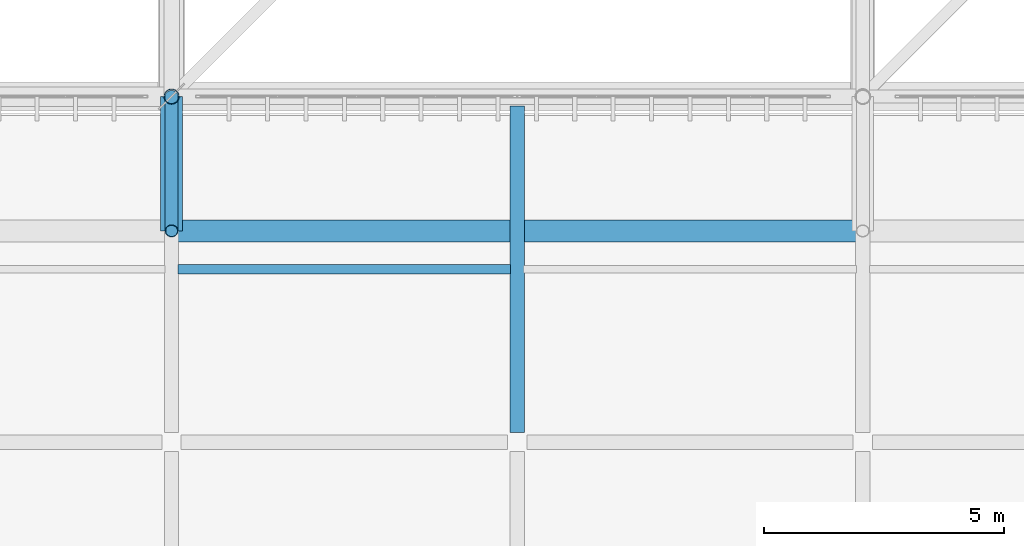
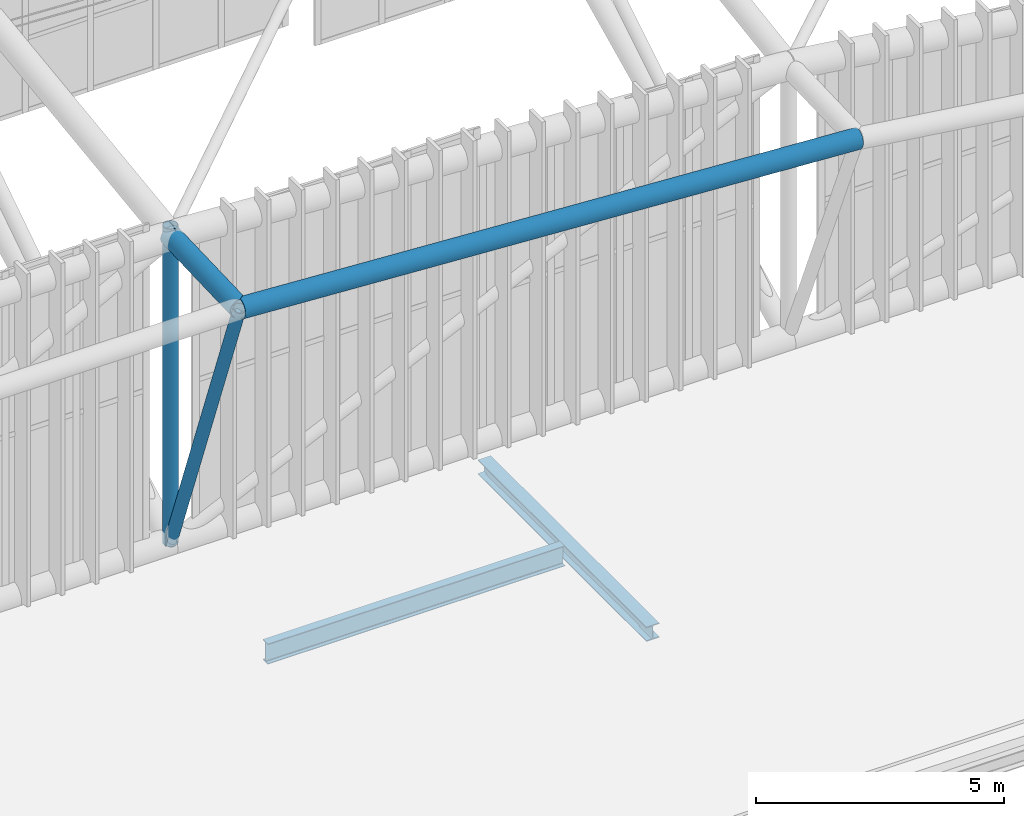
# One storey, part 78 of 397: 4 beams, 2 members.
"""IFC4 building model written with IfcOpenShell, lengths in metres."""

from ifc_helpers import new_model, si_unit, direction, frame, origin, origin_2d, place, context, subcontext, project, spatial, hollow_circle, i_section, extrude, material, material_profile, profile_set, type_object, element, save


model = new_model("IFC4")

# Units and contexts
model_context = context("Model", 3, precision=1e-05, world=origin(), true_north=direction((0.0, 1.0)))
body_context = subcontext(model_context, "Body", "Model", "MODEL_VIEW")
ifc_project = project(units=[si_unit("LENGTHUNIT", "METRE"), si_unit("AREAUNIT", "SQUARE_METRE"), si_unit("VOLUMEUNIT", "CUBIC_METRE"), si_unit("PLANEANGLEUNIT", "RADIAN"), si_unit("MASSUNIT", "GRAM", prefix="KILO")], contexts=[model_context])

# Site, building, storey
site_placement = place(None, origin())
site = spatial("IfcSite", under=ifc_project, at=site_placement, CompositionType="ELEMENT")
building_placement = place(site_placement, origin())
building = spatial("IfcBuilding", under=site, at=building_placement, Name="Qandorah Velis Arena", CompositionType="ELEMENT")
storey_placement = place(building_placement, frame((0.0, 0.0, 27.5)))
storey = spatial("IfcBuildingStorey", under=building, at=storey_placement, Name="RF", CompositionType="ELEMENT", Elevation=27.5)

# Beams
ifc_material = material(Name="Steel S355", Category="steel")
ifc_material_profile_1 = material_profile(ifc_material, i_section(OverallWidth=0.300048828125, OverallDepth=0.360107421875, WebThickness=0.012451171875, FlangeThickness=0.0224609375, FilletRadius=0.027099609375, at=origin_2d()), Name="HEB 360")
ifc_profile_set_1 = profile_set([ifc_material_profile_1], Name="Steel S355")
beam_type_1 = type_object("IfcBeamType", Name="STR-BM-HEB360", PredefinedType="BEAM", material=ifc_profile_set_1)
beam_1_placement = place(storey_placement, frame((79.199951171875, 7.39990234375, -0.39990234375), z_axis=(0.0, 1.0, 0.0), x_axis=(-1.0, 0.0, 0.0)))
element("IfcBeam", 1, at=beam_1_placement, inside=storey, type_object=beam_type_1, Name="Primary floor girder RF Y-116", PredefinedType="BEAM", context=body_context, shape_type="SweptSolid", body=[
    extrude(i_section(OverallWidth=0.300048828125, OverallDepth=0.360107421875, WebThickness=0.012451171875, FlangeThickness=0.0224609375, FilletRadius=0.027099609375, at=origin_2d()), origin(), (0.0, 0.0, 1.0), 6.800048828125),
])
ifc_material_profile_2 = material_profile(ifc_material, i_section(OverallWidth=0.199951171875, OverallDepth=0.5, WebThickness=0.01025390625, FlangeThickness=0.01611328125, FilletRadius=0.02099609375, at=origin_2d()), Name="IPE 500")
ifc_profile_set_2 = profile_set([ifc_material_profile_2], Name="Steel S355")
beam_type_2 = type_object("IfcBeamType", Name="STR-JST-IPE500", PredefinedType="JOIST", material=ifc_profile_set_2)
beam_2_placement = place(storey_placement, frame((72.135009765625, 10.800048828125, -0.469970703125), z_axis=(1.0, 0.0, 0.0), x_axis=(0.0, 1.0, 0.0)))
element("IfcBeam", 2, at=beam_2_placement, inside=storey, type_object=beam_type_2, Name="Secondary floor joist RF-038", PredefinedType="JOIST", context=body_context, shape_type="SweptSolid", body=[
    extrude(i_section(OverallWidth=0.199951171875, OverallDepth=0.5, WebThickness=0.01025390625, FlangeThickness=0.01611328125, FilletRadius=0.02099609375, at=origin_2d()), origin(), (0.0, 0.0, 1.0), 6.929931640625),
])
ifc_material_profile_3 = material_profile(ifc_material, hollow_circle(Radius=0.228515625, WallThickness=0.01611328125, at=origin_2d()), Name="CHS 457x16")
ifc_profile_set_3 = profile_set([ifc_material_profile_3], Name="Steel S355")
beam_type_3 = type_object("IfcBeamType", Name="STR-SFC-CHS457X16", PredefinedType="USERDEFINED", material=ifc_profile_set_3)
beam_3_placement = place(storey_placement, frame((72.0, 14.39990234375, 7.65576171875), z_axis=(0.0, -0.999364629289, -0.035641797469), x_axis=(1.0, 0.0, 0.0)))
element("IfcBeam", 3, at=beam_3_placement, inside=storey, type_object=beam_type_3, Name="Space frame eave outrigger S-4", ObjectType="ROOF TRUSS", PredefinedType="USERDEFINED", context=body_context, shape_type="SweptSolid", body=[
    extrude(hollow_circle(Radius=0.228515625, WallThickness=0.01611328125, at=origin_2d()), origin(), (0.0, 0.0, 1.0), 2.801513671875),
])
beam_4_placement = place(storey_placement, frame((72.0, 11.60009765625, 7.555908203125), z_axis=(0.998234991644, 0.0, -0.059387721435), x_axis=(0.0, 1.0, 0.0)))
element("IfcBeam", 4, at=beam_4_placement, inside=storey, type_object=beam_type_3, Name="Space frame eave fascia ring S-4", ObjectType="ROOF TRUSS", PredefinedType="USERDEFINED", context=body_context, shape_type="SweptSolid", body=[
    extrude(hollow_circle(Radius=0.228515625, WallThickness=0.01611328125, at=origin_2d()), origin(), (0.0, 0.0, 1.0), 14.42529296875),
])

# Members
ifc_material_profile_4 = material_profile(ifc_material, hollow_circle(Radius=0.136474609375, WallThickness=0.012451171875, at=origin_2d()), Name="CHS 273x12.5")
ifc_profile_set_4 = profile_set([ifc_material_profile_4], Name="Steel S355")
member_type_1 = type_object("IfcMemberType", Name="STR-SFD-CHS273X12", PredefinedType="STRUT", material=ifc_profile_set_4)
member_1_placement = place(storey_placement, frame((72.0, 14.39990234375, 0.10009765625), z_axis=(0.0, -0.351550053744, 0.936169087138), x_axis=(1.0, 0.0, 0.0)))
element("IfcMember", 5, at=member_1_placement, inside=storey, type_object=member_type_1, Name="Space frame eave raking strut S-4", PredefinedType="STRUT", context=body_context, shape_type="SweptSolid", body=[
    extrude(hollow_circle(Radius=0.136474609375, WallThickness=0.012451171875, at=origin_2d()), origin(), (0.0, 0.0, 1.0), 7.964111328125),
])
ifc_material_profile_5 = material_profile(ifc_material, hollow_circle(Radius=0.161865234375, WallThickness=0.01611328125, at=origin_2d()), Name="CHS 323.9x16")
ifc_profile_set_5 = profile_set([ifc_material_profile_5], Name="Steel S355")
member_type_2 = type_object("IfcMemberType", Name="STR-SFD-CHS323X16", PredefinedType="CHORD", material=ifc_profile_set_5)
member_2_placement = place(storey_placement, frame((72.0, 14.39990234375, 0.10009765625), z_axis=(0.0, 0.0, 1.0), x_axis=(1.0, 0.0, 0.0)))
element("IfcMember", 6, at=member_2_placement, inside=storey, type_object=member_type_2, Name="Space frame roof vertical post 4.0", PredefinedType="CHORD", context=body_context, shape_type="SweptSolid", body=[
    extrude(hollow_circle(Radius=0.161865234375, WallThickness=0.01611328125, at=origin_2d()), origin(), (0.0, 0.0, 1.0), 7.815673828125),
])

save(model, "model.ifc")
